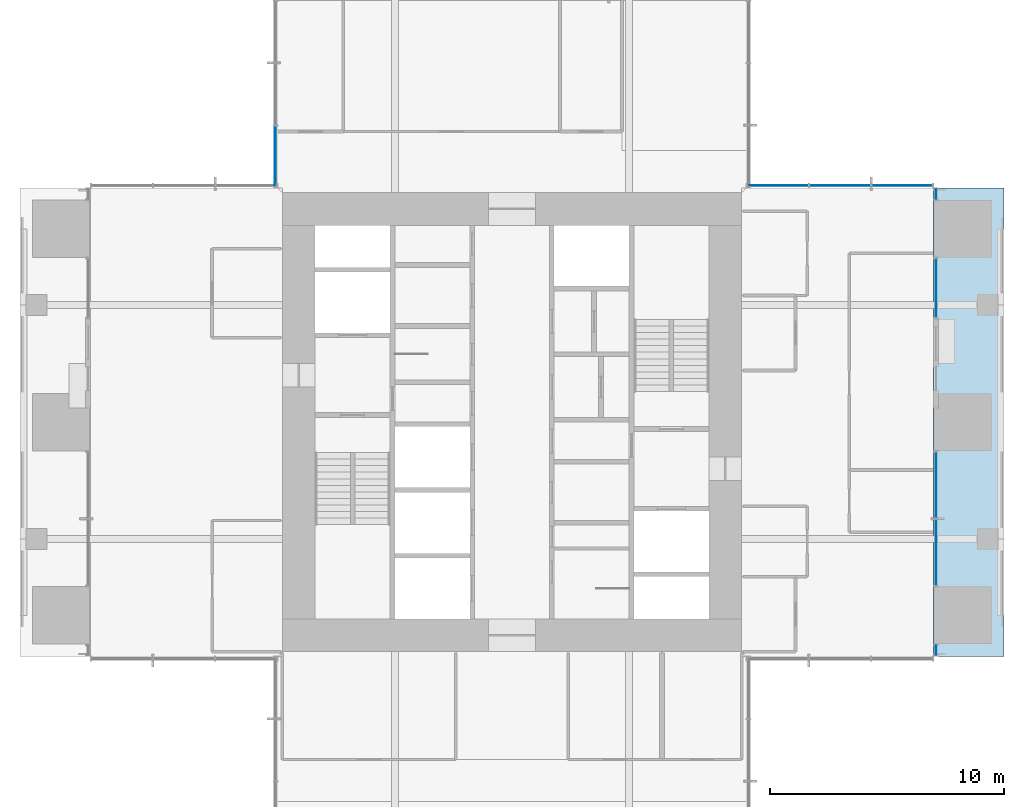
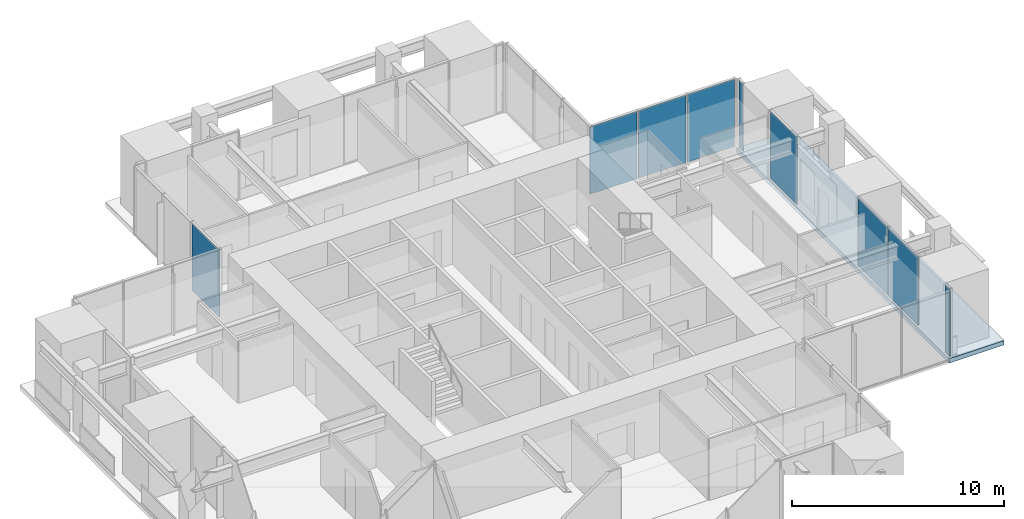
# One storey, part 10 of 17: 9 plates, 1 slab, 6 elements without a shape of their own.
"""IFC4 building model written with IfcOpenShell, lengths in metres."""

import ifcopenshell
import ifcopenshell.guid

model = None  # the IFC model being written
_history = None  # IfcOwnerHistory: only IFC2X3 demands one
_inside = {}  # id of a spatial element -> (the spatial element, [elements in it])
_under = {}  # id of a project, library or spatial element -> (it, [spatial elements below it])
_declared = {}  # id of a project -> (the project, [libraries it declares])
_typed = {}  # id of a type object -> (the type object, [elements of that type])
_made_of = {}  # id of a material, layer set ... -> (it, [elements and type objects made of it])


def new_model(schema):
    """Start an empty IFC model of exactly this schema.

    Asked for "IFC4X3", IfcOpenShell would pick the latest addendum, in which some entities
    have other attributes; the version numbers below select the first issue.
    IFC2X3 requires an IfcOwnerHistory on every rooted entity: one is made here for all.
    """
    global model, _history
    if schema == "IFC4X3":
        model = ifcopenshell.file(schema_version=(4, 3, 0, 0))
    else:
        model = ifcopenshell.file(schema=schema)
    _inside.clear()
    _under.clear()
    _declared.clear()
    _typed.clear()
    _made_of.clear()
    _history = None
    if model.schema == "IFC2X3":
        org = make("IfcOrganization", Name="unknown")
        user = make(
            "IfcPersonAndOrganization",
            ThePerson=make("IfcPerson", FamilyName="unknown"),
            TheOrganization=org,
        )
        app = make(
            "IfcApplication",
            ApplicationDeveloper=org,
            Version="unknown",
            ApplicationFullName="unknown",
            ApplicationIdentifier="unknown",
        )
        _history = make(
            "IfcOwnerHistory",
            OwningUser=user,
            OwningApplication=app,
            ChangeAction="ADDED",
            CreationDate=0,
        )
    return model


def make(cls, **values):
    """One entity of the class cls with the attributes given. An attribute that is None is left unset."""
    return model.create_entity(
        cls, **{name: value for name, value in values.items() if value is not None}
    )


def rooted(cls, **values):
    """An entity with a GlobalId (a new one), such as an element, a storey or a relation."""
    return make(cls, GlobalId=ifcopenshell.guid.new(), OwnerHistory=_history, **values)


def si_unit(unit_type, name, prefix=None):
    """IfcSIUnit, for example si_unit("LENGTHUNIT", "METRE", prefix="MILLI")."""
    return make("IfcSIUnit", UnitType=unit_type, Prefix=prefix, Name=name)


def assignment(units):
    """IfcUnitAssignment: the units of a project."""
    return None if units is None else make("IfcUnitAssignment", Units=units)


def point(xyz):
    """IfcCartesianPoint."""
    return None if xyz is None else make("IfcCartesianPoint", Coordinates=xyz)


def direction(xyz):
    """IfcDirection."""
    return None if xyz is None else make("IfcDirection", DirectionRatios=xyz)


def frame(location, z_axis=None, x_axis=None):
    """IfcAxis2Placement3D, a coordinate frame: its origin and axes. An axis left out is left unset."""
    return make(
        "IfcAxis2Placement3D",
        Location=point(location),
        Axis=direction(z_axis),
        RefDirection=direction(x_axis),
    )


def frame_2d(location, x_axis=None):
    """IfcAxis2Placement2D, a coordinate frame in the plane: its origin and x axis."""
    return make(
        "IfcAxis2Placement2D", Location=point(location), RefDirection=direction(x_axis)
    )


def origin():
    """The frame at (0, 0, 0) with its axes left unset."""
    return frame((0.0, 0.0, 0.0))


def origin_2d():
    """The frame at (0, 0) in the plane with its x axis left unset."""
    return frame_2d((0.0, 0.0))


def place(relative_to, where):
    """IfcLocalPlacement: puts the frame where relative to a parent placement (None: the world)."""
    return make(
        "IfcLocalPlacement", PlacementRelTo=relative_to, RelativePlacement=where
    )


def context(
    kind, dimensions, precision=None, world=None, true_north=None, identifier=None
):
    """IfcGeometricRepresentationContext, for example the 3D "Model" context."""
    return make(
        "IfcGeometricRepresentationContext",
        ContextIdentifier=identifier,
        ContextType=kind,
        CoordinateSpaceDimension=dimensions,
        Precision=precision,
        WorldCoordinateSystem=world,
        TrueNorth=true_north,
    )


def subcontext(parent, identifier, kind, view, scale=None):
    """IfcGeometricRepresentationSubContext, for example "Body" below "Model"."""
    return make(
        "IfcGeometricRepresentationSubContext",
        ContextIdentifier=identifier,
        ContextType=kind,
        ParentContext=parent,
        TargetScale=scale,
        TargetView=view,
    )


def project(units=None, contexts=None):
    """IfcProject with its units and contexts."""
    return rooted(
        "IfcProject",
        Name="project",
        RepresentationContexts=contexts,
        UnitsInContext=assignment(units),
    )


def spatial(cls, under=None, at=None, **own):
    """A site, building, storey or space (cls), placed at a placement, below another one or the project."""
    s = rooted(cls, ObjectPlacement=at, **own)
    if under is not None:
        _under.setdefault(under.id(), (under, []))[1].append(s)
    return s


def polyline(points):
    """IfcPolyline through the points."""
    return make("IfcPolyline", Points=[point(p) for p in points])


def profile(cls, at=None, kind="AREA", **sizes):
    """A parametric profile (cls). Its sizes go by their IFC names, for example OverallWidth=200.0."""
    return make(cls, ProfileType=kind, Position=at, **sizes)


def rectangle(**sizes):
    """IfcRectangleProfileDef."""
    return profile("IfcRectangleProfileDef", **sizes)


def outline(outer, holes=None, kind="AREA"):
    """IfcArbitraryClosedProfileDef: a profile drawn as a closed curve; with holes, ...WithVoids."""
    if holes is None:
        return make("IfcArbitraryClosedProfileDef", ProfileType=kind, OuterCurve=outer)
    return make(
        "IfcArbitraryProfileDefWithVoids",
        ProfileType=kind,
        OuterCurve=outer,
        InnerCurves=holes,
    )


def extrude(swept, where, along, depth):
    """IfcExtrudedAreaSolid: the profile swept, set in the frame where, extruded along a direction by depth."""
    return make(
        "IfcExtrudedAreaSolid",
        SweptArea=swept,
        Position=where,
        ExtrudedDirection=direction(along),
        Depth=depth,
    )


def shape(context_of_items, identifier, shape_type, items):
    """IfcShapeRepresentation: the items that make up one representation, for example the "Body"."""
    return make(
        "IfcShapeRepresentation",
        ContextOfItems=context_of_items,
        RepresentationIdentifier=identifier,
        RepresentationType=shape_type,
        Items=items,
    )


def material(Name=None, Category=None):
    """IfcMaterial."""
    return make("IfcMaterial", Name=Name, Category=Category)


def layer(
    of_material, thickness, ventilated=None, Name=None, Category=None, Priority=None
):
    """IfcMaterialLayer: one layer of a wall or slab, of a material (None: an air gap)."""
    return make(
        "IfcMaterialLayer",
        Material=of_material,
        LayerThickness=thickness,
        IsVentilated=ventilated,
        Name=Name,
        Category=Category,
        Priority=Priority,
    )


def layer_set(layers, Name=None):
    """IfcMaterialLayerSet."""
    return make("IfcMaterialLayerSet", MaterialLayers=layers, LayerSetName=Name)


def made_of(thing, what):
    """Note that an element or type object is made of a material, layer set ...; save() writes the relation."""
    if what is not None:
        _made_of.setdefault(what.id(), (what, []))[1].append(thing)
    return thing


def type_object(cls, material=None, **own):
    """A type object (cls), such as IfcWallType, which elements share."""
    return made_of(rooted(cls, **own), material)


def element(
    cls,
    number,
    at=None,
    inside=None,
    cuts=None,
    type_object=None,
    material=None,
    context=None,
    identifier="Body",
    shape_type=None,
    held_by="IfcProductDefinitionShape",
    body=None,
    shapes=None,
    **own,
):
    """One element of the class cls, such as IfcWall. Its Tag is "e" and its number.

    at: its placement. inside: the storey or other place that contains it. cuts: it is an
    opening in that element (IfcRelVoidsElement). A single representation is given by context,
    identifier, shape_type and body (its items); several are given by shapes. held_by: the class
    of the entity that holds the representations. save() writes the other relations.
    """
    e = rooted(cls, Tag="e%d" % number, ObjectPlacement=at, **own)
    if body is not None:
        shapes = [shape(context, identifier, shape_type, body)]
    if shapes is not None:
        e.Representation = make(held_by, Representations=shapes)
    if inside is not None:
        _inside.setdefault(inside.id(), (inside, []))[1].append(e)
    if cuts is not None:
        rooted(
            "IfcRelVoidsElement", RelatingBuildingElement=cuts, RelatedOpeningElement=e
        )
    if type_object is not None:
        _typed.setdefault(type_object.id(), (type_object, []))[1].append(e)
    return made_of(e, material)


def aggregate(whole, parts):
    """IfcRelAggregates: a whole, such as a stair, and the parts it consists of."""
    return rooted("IfcRelAggregates", RelatingObject=whole, RelatedObjects=parts)


def save(model, path):
    """Write the relations noted so far, then the file.

    IfcRelAggregates (storeys below a building ...), IfcRelContainedInSpatialStructure (elements
    in a storey), IfcRelDefinesByType, IfcRelAssociatesMaterial and IfcRelDeclares: one each for
    every whole, place, type object, material and project.
    """
    for whole, parts in _under.values():
        aggregate(whole, parts)
    for where, things in _inside.values():
        rooted(
            "IfcRelContainedInSpatialStructure",
            RelatedElements=things,
            RelatingStructure=where,
        )
    for kind, things in _typed.values():
        rooted("IfcRelDefinesByType", RelatedObjects=things, RelatingType=kind)
    for what, things in _made_of.values():
        rooted("IfcRelAssociatesMaterial", RelatedObjects=things, RelatingMaterial=what)
    for by, libraries in _declared.values():
        rooted("IfcRelDeclares", RelatingContext=by, RelatedDefinitions=libraries)
    model.write(path)


model = new_model("IFC4")

# Units and contexts
model_context = context("Model", 3, precision=1e-05, world=origin(), true_north=direction((0.0, 1.0)))
body_context = subcontext(model_context, "Body", "Model", "MODEL_VIEW")
ifc_project = project(units=[si_unit("LENGTHUNIT", "METRE"), si_unit("AREAUNIT", "SQUARE_METRE"), si_unit("VOLUMEUNIT", "CUBIC_METRE"), si_unit("PLANEANGLEUNIT", "RADIAN"), si_unit("MASSUNIT", "GRAM", prefix="KILO")], contexts=[model_context])

# Site, building, storey
site_placement = place(None, origin())
site = spatial("IfcSite", under=ifc_project, at=site_placement, CompositionType="ELEMENT")
building_placement = place(site_placement, origin())
building = spatial("IfcBuilding", under=site, at=building_placement, Name="Svetlomir Tower", CompositionType="ELEMENT")
storey_placement = place(building_placement, frame((0.0, 0.0, 230.5)))
storey = spatial("IfcBuildingStorey", under=building, at=storey_placement, Name="L55", CompositionType="ELEMENT", Elevation=230.5)

# Curtain wall, plate
ifc_material_1 = material(Name="Bronze anodised aluminium curtain wall", Category="aluminium")
curtain_wall_type = type_object("IfcCurtainWallType", Name="CURTAIN WALL CW1 TOWER OFFICE", PredefinedType="NOTDEFINED", material=ifc_material_1)
curtain_wall_1_placement = place(storey_placement, origin())
curtain_wall_1 = element("IfcCurtainWall", 1, at=curtain_wall_1_placement, inside=storey, type_object=curtain_wall_type, Name="Curtain wall CW1 L55", PredefinedType="NOTDEFINED")
ifc_material_2 = material(Name="Tinted double glazed unit", Category="glass")
ifc_layer_1 = layer(ifc_material_2, 0.031982421875)
ifc_layer_set_1 = layer_set([ifc_layer_1], Name="Tinted double glazed unit")
plate_type = type_object("IfcPlateType", Name="CW1 GLAZED PANEL 32", PredefinedType="CURTAIN_PANEL", material=ifc_layer_set_1)
plate_1_placement = place(storey_placement, frame((39.10009765625, 11.262451171875, 0.06494140625), z_axis=(0.0, 0.0, 1.0), x_axis=(0.0, 1.0, 0.0)))
plate_1 = element("IfcPlate", 2, at=plate_1_placement, type_object=plate_type, Name="CW1 panel 1.1", PredefinedType="CURTAIN_PANEL", context=body_context, shape_type="SweptSolid", body=[
    extrude(rectangle(XDim=0.39501953125, YDim=0.031982421875, at=origin_2d()), origin(), (0.0, 0.0, 1.0), 3.8701171875),
])
aggregate(curtain_wall_1, [plate_1])

# Curtain wall, plates
curtain_wall_2_placement = place(storey_placement, origin())
curtain_wall_2 = element("IfcCurtainWall", 3, at=curtain_wall_2_placement, inside=storey, type_object=curtain_wall_type, Name="Curtain wall CW1 L55", PredefinedType="NOTDEFINED")
plate_2_placement = place(storey_placement, frame((39.10009765625, 15.441162109375, 0.06494140625), z_axis=(0.0, 0.0, 1.0), x_axis=(0.0, 1.0, 0.0)))
plate_2 = element("IfcPlate", 4, at=plate_2_placement, type_object=plate_type, Name="CW1 panel 1.1", PredefinedType="CURTAIN_PANEL", context=body_context, shape_type="SweptSolid", body=[
    extrude(rectangle(XDim=2.802490234375, YDim=0.031982421875, at=origin_2d()), origin(), (0.0, 0.0, 1.0), 3.8701171875),
])
plate_3_placement = place(storey_placement, frame((39.10009765625, 18.308837890625, 0.06494140625), z_axis=(0.0, 0.0, 1.0), x_axis=(0.0, 1.0, 0.0)))
plate_3 = element("IfcPlate", 5, at=plate_3_placement, type_object=plate_type, Name="CW1 panel 2.1", PredefinedType="CURTAIN_PANEL", context=body_context, shape_type="SweptSolid", body=[
    extrude(rectangle(XDim=2.802490234375, YDim=0.031982421875, at=origin_2d()), origin(), (0.0, 0.0, 1.0), 3.8701171875),
])
aggregate(curtain_wall_2, [plate_2, plate_3])

# Curtain wall, plate
curtain_wall_3_placement = place(storey_placement, origin())
curtain_wall_3 = element("IfcCurtainWall", 6, at=curtain_wall_3_placement, inside=storey, type_object=curtain_wall_type, Name="Curtain wall CW1 L55", PredefinedType="NOTDEFINED")
plate_4_placement = place(storey_placement, frame((39.10009765625, 26.71240234375, 0.06494140625), z_axis=(0.0, 0.0, 1.0), x_axis=(0.0, 1.0, 0.0)))
plate_4 = element("IfcPlate", 7, at=plate_4_placement, type_object=plate_type, Name="CW1 panel 1.1", PredefinedType="CURTAIN_PANEL", context=body_context, shape_type="SweptSolid", body=[
    extrude(rectangle(XDim=2.4951171875, YDim=0.031982421875, at=origin_2d()), origin(), (0.0, 0.0, 1.0), 3.8701171875),
])
aggregate(curtain_wall_3, [plate_4])

curtain_wall_4_placement = place(storey_placement, origin())
curtain_wall_4 = element("IfcCurtainWall", 8, at=curtain_wall_4_placement, inside=storey, type_object=curtain_wall_type, Name="Curtain wall CW1 L55", PredefinedType="NOTDEFINED")
plate_5_placement = place(storey_placement, frame((39.10009765625, 30.737548828125, 0.06494140625), z_axis=(0.0, 0.0, 1.0), x_axis=(0.0, 1.0, 0.0)))
plate_5 = element("IfcPlate", 9, at=plate_5_placement, type_object=plate_type, Name="CW1 panel 1.1", PredefinedType="CURTAIN_PANEL", context=body_context, shape_type="SweptSolid", body=[
    extrude(rectangle(XDim=0.39501953125, YDim=0.031982421875, at=origin_2d()), origin(), (0.0, 0.0, 1.0), 3.8701171875),
])
aggregate(curtain_wall_4, [plate_5])

# Curtain wall, plates
curtain_wall_5_placement = place(storey_placement, origin())
curtain_wall_5 = element("IfcCurtainWall", 10, at=curtain_wall_5_placement, inside=storey, type_object=curtain_wall_type, Name="Curtain wall CW1 L55", PredefinedType="NOTDEFINED")
plate_6_placement = place(storey_placement, frame((37.650390625, 31.10009765625, 0.06494140625), z_axis=(0.0, 0.0, 1.0), x_axis=(-1.0, 0.0, 0.0)))
plate_6 = element("IfcPlate", 11, at=plate_6_placement, type_object=plate_type, Name="CW1 panel 1.1", PredefinedType="CURTAIN_PANEL", context=body_context, shape_type="SweptSolid", body=[
    extrude(rectangle(XDim=2.569091796875, YDim=0.031982421875, at=origin_2d()), origin(), (0.0, 0.0, 1.0), 3.8701171875),
])
plate_7_placement = place(storey_placement, frame((35.0, 31.10009765625, 0.06494140625), z_axis=(0.0, 0.0, 1.0), x_axis=(-1.0, 0.0, 0.0)))
plate_7 = element("IfcPlate", 12, at=plate_7_placement, type_object=plate_type, Name="CW1 panel 2.1", PredefinedType="CURTAIN_PANEL", context=body_context, shape_type="SweptSolid", body=[
    extrude(rectangle(XDim=2.6015625, YDim=0.031982421875, at=origin_2d()), origin(), (0.0, 0.0, 1.0), 3.8701171875),
])
plate_8_placement = place(storey_placement, frame((32.349609375, 31.10009765625, 0.06494140625), z_axis=(0.0, 0.0, 1.0), x_axis=(-1.0, 0.0, 0.0)))
plate_8 = element("IfcPlate", 13, at=plate_8_placement, type_object=plate_type, Name="CW1 panel 3.1", PredefinedType="CURTAIN_PANEL", context=body_context, shape_type="SweptSolid", body=[
    extrude(rectangle(XDim=2.569091796875, YDim=0.031982421875, at=origin_2d()), origin(), (0.0, 0.0, 1.0), 3.8701171875),
])
aggregate(curtain_wall_5, [plate_6, plate_7, plate_8])

# Curtain wall, plate
curtain_wall_6_placement = place(storey_placement, origin())
curtain_wall_6 = element("IfcCurtainWall", 14, at=curtain_wall_6_placement, inside=storey, type_object=curtain_wall_type, Name="Curtain wall CW1 L55", PredefinedType="NOTDEFINED")
plate_9_placement = place(storey_placement, frame((10.89990234375, 32.349609375, 0.06494140625), z_axis=(0.0, 0.0, 1.0), x_axis=(0.0, -1.0, 0.0)))
plate_9 = element("IfcPlate", 15, at=plate_9_placement, type_object=plate_type, Name="CW1 panel 3.1", PredefinedType="CURTAIN_PANEL", context=body_context, shape_type="SweptSolid", body=[
    extrude(rectangle(XDim=2.569091796875, YDim=0.031982421875, at=origin_2d()), origin(), (0.0, 0.0, 1.0), 3.8701171875),
])
aggregate(curtain_wall_6, [plate_9])

# Slab
ifc_material_3 = material(Name="Concrete C60/75", Category="concrete")
ifc_layer_2 = layer(ifc_material_3, 0.25)
ifc_layer_set_2 = layer_set([ifc_layer_2], Name="Concrete C60/75")
slab_type = type_object("IfcSlabType", Name="PLANTED LOGGIA SLAB 250", PredefinedType="FLOOR", material=ifc_layer_set_2)
slab_placement = place(storey_placement, frame((0.0, 0.0, -0.25)))
element("IfcSlab", 16, at=slab_placement, inside=storey, type_object=slab_type, Name="L55 E planted loggia", PredefinedType="FLOOR", context=body_context, shape_type="SweptSolid", body=[
    extrude(outline(polyline([(39.0, 11.0), (42.0, 11.0), (42.0, 31.0), (39.0, 31.0), (39.0, 11.0)])), origin(), (0.0, 0.0, 1.0), 0.25),
])

save(model, "model.ifc")
